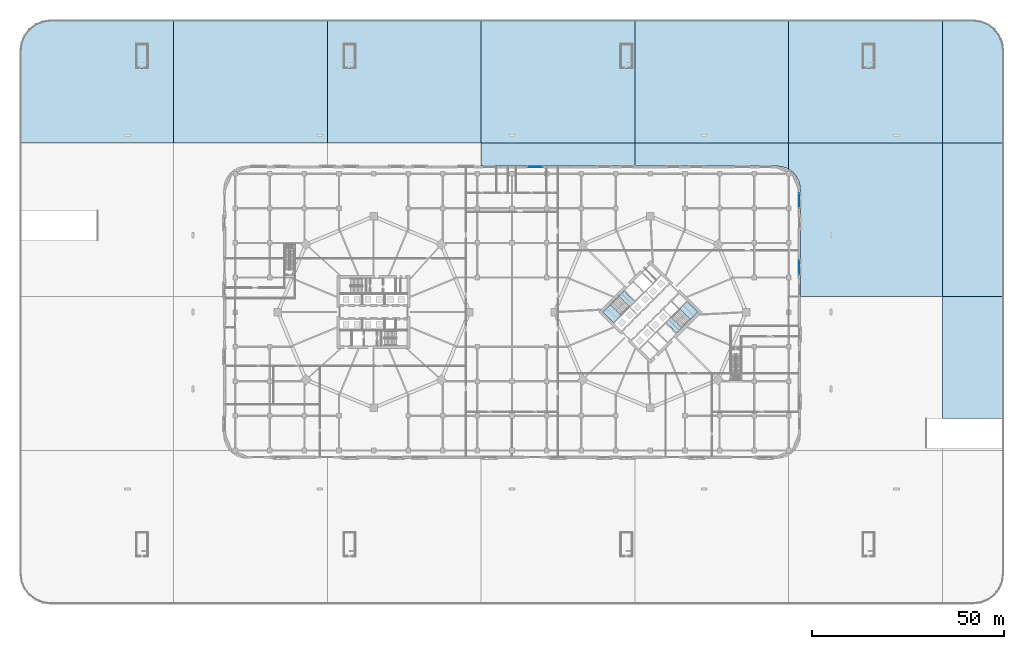
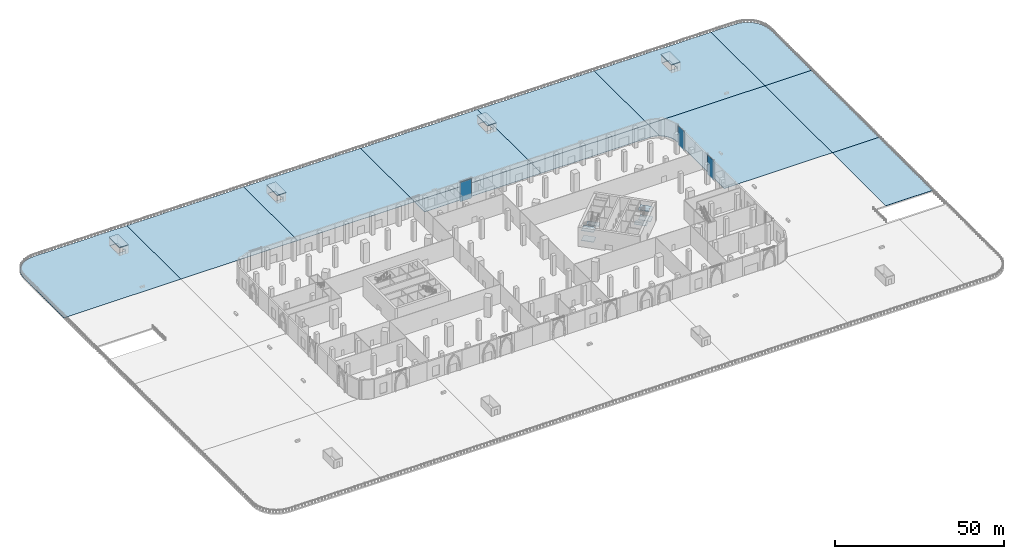
# One storey, part 21 of 48: 22 slabs, 3 plates, 5 elements without a shape of their own.
"""IFC4 building model written with IfcOpenShell, lengths in metres."""

from ifc_helpers import new_model, si_unit, direction, frame, origin, origin_2d, place, context, subcontext, project, spatial, polyline, rectangle, outline, extrude, material, layer, layer_set, type_object, element, aggregate, save


model = new_model("IFC4")

# Units and contexts
model_context = context("Model", 3, precision=1e-05, world=origin(), true_north=direction((0.0, 1.0)))
body_context = subcontext(model_context, "Body", "Model", "MODEL_VIEW")
ifc_project = project(units=[si_unit("LENGTHUNIT", "METRE"), si_unit("AREAUNIT", "SQUARE_METRE"), si_unit("VOLUMEUNIT", "CUBIC_METRE"), si_unit("PLANEANGLEUNIT", "RADIAN"), si_unit("MASSUNIT", "GRAM", prefix="KILO")], contexts=[model_context])

# Site, building, storey
site_placement = place(None, origin())
site = spatial("IfcSite", under=ifc_project, at=site_placement, CompositionType="ELEMENT")
building_placement = place(site_placement, origin())
building = spatial("IfcBuilding", under=site, at=building_placement, Name="Ogive Gate Towers", CompositionType="ELEMENT")
storey_placement = place(building_placement, origin())
storey = spatial("IfcBuildingStorey", under=building, at=storey_placement, Name="L00", CompositionType="ELEMENT", Elevation=0.0)

# Slabs
ifc_material_1 = material(Name="Grey granite paving", Category="masonry")
ifc_layer_1 = layer(ifc_material_1, 0.14990234375)
ifc_layer_set_1 = layer_set([ifc_layer_1], Name="Garden paving")
slab_type_1 = type_object("IfcSlabType", Name="Garden paving", PredefinedType="USERDEFINED", material=ifc_layer_set_1)
slab_1_placement = place(storey_placement, origin())
element("IfcSlab", 1, at=slab_1_placement, inside=storey, type_object=slab_type_1, Name="Garden paving", ObjectType="PAVING", PredefinedType="USERDEFINED", context=body_context, shape_type="SweptSolid", body=[
    extrude(outline(polyline([(-128.0, 68.0), (-127.84619140625, 69.560791015625), (-127.39111328125, 71.0615234375), (-126.65185546875, 72.444580078125), (-125.656982421875, 73.656982421875), (-124.444580078125, 74.65185546875), (-123.0615234375, 75.39111328125), (-121.560791015625, 75.84619140625), (-120.0, 76.0), (-88.0, 76.0), (-88.0, 44.0), (-128.0, 44.0), (-128.0, 68.0)]), holes=[polyline([(-94.949951171875, 69.4599609375), (-97.5, 69.4599609375), (-97.5, 64.89990234375), (-94.949951171875, 64.89990234375), (-94.949951171875, 69.4599609375)])]), origin(), (0.0, 0.0, 1.0), 0.1201171875),
])
slab_2_placement = place(storey_placement, origin())
element("IfcSlab", 2, at=slab_2_placement, inside=storey, type_object=slab_type_1, Name="Garden paving", ObjectType="PAVING", PredefinedType="USERDEFINED", context=body_context, shape_type="SweptSolid", body=[
    extrude(outline(polyline([(-48.0, 76.0), (-48.0, 44.0), (-88.0, 44.0), (-88.0, 76.0), (-48.0, 76.0)])), origin(), (0.0, 0.0, 1.0), 0.1201171875),
])
slab_3_placement = place(storey_placement, origin())
element("IfcSlab", 3, at=slab_3_placement, inside=storey, type_object=slab_type_1, Name="Garden paving", ObjectType="PAVING", PredefinedType="USERDEFINED", context=body_context, shape_type="SweptSolid", body=[
    extrude(outline(polyline([(-8.0, 76.0), (-8.0, 44.0), (-48.0, 44.0), (-48.0, 76.0), (-8.0, 76.0)]), holes=[polyline([(-40.949951171875, 64.89990234375), (-40.949951171875, 69.4599609375), (-43.5, 69.4599609375), (-43.5, 64.89990234375), (-40.949951171875, 64.89990234375)])]), origin(), (0.0, 0.0, 1.0), 0.1201171875),
])
slab_4_placement = place(storey_placement, origin())
element("IfcSlab", 4, at=slab_4_placement, inside=storey, type_object=slab_type_1, Name="Garden paving", ObjectType="PAVING", PredefinedType="USERDEFINED", context=body_context, shape_type="SweptSolid", body=[
    extrude(outline(polyline([(-8.0, 38.0), (-8.0, 44.0), (32.0, 44.0), (32.0, 38.0), (-8.0, 38.0)])), origin(), (0.0, 0.0, 1.0), 0.1201171875),
])
slab_5_placement = place(storey_placement, origin())
element("IfcSlab", 5, at=slab_5_placement, inside=storey, type_object=slab_type_1, Name="Garden paving", ObjectType="PAVING", PredefinedType="USERDEFINED", context=body_context, shape_type="SweptSolid", body=[
    extrude(outline(polyline([(32.0, 76.0), (32.0, 44.0), (-8.0, 44.0), (-8.0, 76.0), (32.0, 76.0)]), holes=[polyline([(28.5, 64.89990234375), (31.050048828125, 64.89990234375), (31.050048828125, 69.4599609375), (28.5, 69.4599609375), (28.5, 64.89990234375)])]), origin(), (0.0, 0.0, 1.0), 0.1201171875),
])
slab_6_placement = place(storey_placement, origin())
element("IfcSlab", 6, at=slab_6_placement, inside=storey, type_object=slab_type_1, Name="Garden paving", ObjectType="PAVING", PredefinedType="USERDEFINED", context=body_context, shape_type="SweptSolid", body=[
    extrude(outline(polyline([(71.296142578125, 37.543212890625), (70.17041015625, 37.884765625), (69.0, 38.0), (32.0, 38.0), (32.0, 44.0), (72.0, 44.0), (72.0, 37.1669921875), (71.296142578125, 37.543212890625)])), origin(), (0.0, 0.0, 1.0), 0.1201171875),
])
slab_7_placement = place(storey_placement, origin())
element("IfcSlab", 7, at=slab_7_placement, inside=storey, type_object=slab_type_1, Name="Garden paving", ObjectType="PAVING", PredefinedType="USERDEFINED", context=body_context, shape_type="SweptSolid", body=[
    extrude(outline(polyline([(72.0, 76.0), (72.0, 44.0), (32.0, 44.0), (32.0, 76.0), (72.0, 76.0)])), origin(), (0.0, 0.0, 1.0), 0.1201171875),
])
slab_8_placement = place(storey_placement, origin())
element("IfcSlab", 8, at=slab_8_placement, inside=storey, type_object=slab_type_1, Name="Garden paving", ObjectType="PAVING", PredefinedType="USERDEFINED", context=body_context, shape_type="SweptSolid", body=[
    extrude(outline(polyline([(73.98876953125, 35.33349609375), (73.24267578125, 36.24267578125), (72.33349609375, 36.98876953125), (72.0, 37.1669921875), (72.0, 44.0), (112.0, 44.0), (112.0, 4.0), (75.0, 4.0), (75.0, 32.0), (74.884765625, 33.17041015625), (74.543212890625, 34.296142578125), (73.98876953125, 35.33349609375)])), origin(), (0.0, 0.0, 1.0), 0.1201171875),
])
slab_9_placement = place(storey_placement, origin())
element("IfcSlab", 9, at=slab_9_placement, inside=storey, type_object=slab_type_1, Name="Garden paving", ObjectType="PAVING", PredefinedType="USERDEFINED", context=body_context, shape_type="SweptSolid", body=[
    extrude(outline(polyline([(112.0, 76.0), (112.0, 44.0), (72.0, 44.0), (72.0, 76.0), (112.0, 76.0)]), holes=[polyline([(91.5, 69.4599609375), (91.5, 64.89990234375), (94.050048828125, 64.89990234375), (94.050048828125, 69.4599609375), (91.5, 69.4599609375)])]), origin(), (0.0, 0.0, 1.0), 0.1201171875),
])
slab_10_placement = place(storey_placement, origin())
element("IfcSlab", 10, at=slab_10_placement, inside=storey, type_object=slab_type_1, Name="Garden paving", ObjectType="PAVING", PredefinedType="USERDEFINED", context=body_context, shape_type="SweptSolid", body=[
    extrude(outline(polyline([(128.0, -27.699951171875), (112.0, -27.699951171875), (112.0, 4.0), (128.0, 4.0), (128.0, -27.699951171875)])), origin(), (0.0, 0.0, 1.0), 0.1201171875),
])
slab_11_placement = place(storey_placement, origin())
element("IfcSlab", 11, at=slab_11_placement, inside=storey, type_object=slab_type_1, Name="Garden paving", ObjectType="PAVING", PredefinedType="USERDEFINED", context=body_context, shape_type="SweptSolid", body=[
    extrude(outline(polyline([(128.0, 4.0), (112.0, 4.0), (112.0, 44.0), (128.0, 44.0), (128.0, 4.0)])), origin(), (0.0, 0.0, 1.0), 0.1201171875),
])
slab_12_placement = place(storey_placement, origin())
element("IfcSlab", 12, at=slab_12_placement, inside=storey, type_object=slab_type_1, Name="Garden paving", ObjectType="PAVING", PredefinedType="USERDEFINED", context=body_context, shape_type="SweptSolid", body=[
    extrude(outline(polyline([(120.0, 76.0), (121.560791015625, 75.84619140625), (123.0615234375, 75.39111328125), (124.444580078125, 74.65185546875), (125.656982421875, 73.656982421875), (126.65185546875, 72.444580078125), (127.39111328125, 71.0615234375), (127.84619140625, 69.560791015625), (128.0, 68.0), (128.0, 44.0), (112.0, 44.0), (112.0, 76.0), (120.0, 76.0)])), origin(), (0.0, 0.0, 1.0), 0.1201171875),
])

# Curtain wall, plate
ifc_material_2 = material(Name="Pale metal aluminium", Category="aluminium")
curtain_wall_type = type_object("IfcCurtainWallType", Name="Podium glazing", PredefinedType="NOTDEFINED", material=ifc_material_2)
curtain_wall_1_placement = place(storey_placement, origin())
curtain_wall_1 = element("IfcCurtainWall", 13, at=curtain_wall_1_placement, inside=storey, type_object=curtain_wall_type, Name="CW6 PD ECW02", PredefinedType="NOTDEFINED")
ifc_material_3 = material(Name="Clear glass", Category="glass")
ifc_layer_2 = layer(ifc_material_3, 0.028076171875)
ifc_layer_set_2 = layer_set([ifc_layer_2], Name="Podium glazing glass panel")
plate_type = type_object("IfcPlateType", Name="Podium glazing glass panel", PredefinedType="CURTAIN_PANEL", material=ifc_layer_set_2)
plate_1_placement = place(storey_placement, frame((74.75, 11.636474609375, -0.300048828125), z_axis=(0.0, 0.0, 1.0), x_axis=(0.0, 1.0, 0.0)))
plate_1 = element("IfcPlate", 14, at=plate_1_placement, type_object=plate_type, Name="CW6 glass panel", PredefinedType="CURTAIN_PANEL", context=body_context, shape_type="SweptSolid", body=[
    extrude(rectangle(XDim=3.744140625, YDim=0.028076171875, at=origin_2d()), origin(), (0.0, 0.0, 1.0), 7.06396484375),
])
aggregate(curtain_wall_1, [plate_1])

curtain_wall_2_placement = place(storey_placement, origin())
curtain_wall_2 = element("IfcCurtainWall", 15, at=curtain_wall_2_placement, inside=storey, type_object=curtain_wall_type, Name="CW6 PD ECW03", PredefinedType="NOTDEFINED")
plate_2_placement = place(storey_placement, frame((74.75, 29.06591796875, -0.300048828125), z_axis=(0.0, 0.0, 1.0), x_axis=(0.0, 1.0, 0.0)))
plate_2 = element("IfcPlate", 16, at=plate_2_placement, type_object=plate_type, Name="CW6 glass panel", PredefinedType="CURTAIN_PANEL", context=body_context, shape_type="SweptSolid", body=[
    extrude(rectangle(XDim=3.694580078125, YDim=0.028076171875, at=origin_2d()), origin(), (0.0, 0.0, 1.0), 7.06396484375),
])
aggregate(curtain_wall_2, [plate_2])

curtain_wall_3_placement = place(storey_placement, origin())
curtain_wall_3 = element("IfcCurtainWall", 17, at=curtain_wall_3_placement, inside=storey, type_object=curtain_wall_type, Name="CW6 PD ECW04", PredefinedType="NOTDEFINED")
plate_3_placement = place(storey_placement, frame((6.0, 37.75, -0.300048828125), z_axis=(0.0, 0.0, 1.0), x_axis=(-1.0, 0.0, 0.0)))
plate_3 = element("IfcPlate", 18, at=plate_3_placement, type_object=plate_type, Name="CW6 glass panel", PredefinedType="CURTAIN_PANEL", context=body_context, shape_type="SweptSolid", body=[
    extrude(rectangle(XDim=3.926025390625, YDim=0.028076171875, at=origin_2d()), origin(), (0.0, 0.0, 1.0), 7.06396484375),
])
aggregate(curtain_wall_3, [plate_3])

# Slabs
ifc_material_4 = material(Name="Concrete C32/40", Category="concrete")
ifc_layer_3 = layer(ifc_material_4, 0.25)
ifc_layer_set_3 = layer_set([ifc_layer_3], Name="Stair house roof 250")
slab_type_2 = type_object("IfcSlabType", Name="Stair house roof 250", PredefinedType="ROOF", material=ifc_layer_set_3)
slab_13_placement = place(storey_placement, frame((0.0, 0.0, 3.0)))
element("IfcSlab", 19, at=slab_13_placement, inside=storey, type_object=slab_type_2, Name="CS1 stair house roof", PredefinedType="ROOF", context=body_context, shape_type="SweptSolid", body=[
    extrude(outline(polyline([(-94.64990234375, 63.39990234375), (-97.800048828125, 63.39990234375), (-97.800048828125, 69.760009765625), (-94.64990234375, 69.760009765625), (-94.64990234375, 63.39990234375)])), origin(), (0.0, 0.0, 1.0), 0.25),
])
slab_14_placement = place(storey_placement, frame((0.0, 0.0, 3.0)))
element("IfcSlab", 20, at=slab_14_placement, inside=storey, type_object=slab_type_2, Name="CS2 stair house roof", PredefinedType="ROOF", context=body_context, shape_type="SweptSolid", body=[
    extrude(outline(polyline([(-40.64990234375, 63.39990234375), (-43.800048828125, 63.39990234375), (-43.800048828125, 69.760009765625), (-40.64990234375, 69.760009765625), (-40.64990234375, 63.39990234375)])), origin(), (0.0, 0.0, 1.0), 0.25),
])
slab_15_placement = place(storey_placement, frame((0.0, 0.0, 3.0)))
element("IfcSlab", 21, at=slab_15_placement, inside=storey, type_object=slab_type_2, Name="CS3 stair house roof", PredefinedType="ROOF", context=body_context, shape_type="SweptSolid", body=[
    extrude(outline(polyline([(31.35009765625, 63.39990234375), (28.199951171875, 63.39990234375), (28.199951171875, 69.760009765625), (31.35009765625, 69.760009765625), (31.35009765625, 63.39990234375)])), origin(), (0.0, 0.0, 1.0), 0.25),
])
slab_16_placement = place(storey_placement, frame((0.0, 0.0, 3.0)))
element("IfcSlab", 22, at=slab_16_placement, inside=storey, type_object=slab_type_2, Name="CS4 stair house roof", PredefinedType="ROOF", context=body_context, shape_type="SweptSolid", body=[
    extrude(outline(polyline([(94.35009765625, 63.39990234375), (91.199951171875, 63.39990234375), (91.199951171875, 69.760009765625), (94.35009765625, 69.760009765625), (94.35009765625, 63.39990234375)])), origin(), (0.0, 0.0, 1.0), 0.25),
])

# Stair, slabs
ifc_material_5 = material(Name="Concrete C40/50", Category="concrete")
stair_type = type_object("IfcStairType", Name="Escape stair 1840 wide", PredefinedType="HALF_TURN_STAIR", material=ifc_material_5)
stair_1_placement = place(storey_placement, origin())
stair_1 = element("IfcStair", 23, at=stair_1_placement, inside=storey, type_object=stair_type, Name="L00 Escape stair 1", PredefinedType="HALF_TURN_STAIR")
ifc_layer_4 = layer(ifc_material_5, 0.199951171875)
ifc_layer_set_4 = layer_set([ifc_layer_4], Name="Stair landing 200 mm")
slab_type_3 = type_object("IfcSlabType", Name="Stair landing 200 mm", PredefinedType="LANDING", material=ifc_layer_set_4)
slab_17_placement = place(storey_placement, frame((0.0, 0.0, 1.60009765625)))
slab_17 = element("IfcSlab", 24, at=slab_17_placement, type_object=slab_type_3, Name="ST1 landing 1", PredefinedType="LANDING", context=body_context, shape_type="SweptSolid", body=[
    extrude(outline(polyline([(25.626708984375, 1.930419921875), (23.6962890625, 0.0), (26.401123046875, -2.70458984375), (28.33154296875, -0.774169921875), (25.626708984375, 1.930419921875)])), origin(), (0.0, 0.0, 1.0), 0.199951171875),
])
slab_18_placement = place(storey_placement, frame((0.0, 0.0, 3.39990234375)))
slab_18 = element("IfcSlab", 25, at=slab_18_placement, type_object=slab_type_3, Name="ST1 landing 2", PredefinedType="LANDING", context=body_context, shape_type="SweptSolid", body=[
    extrude(outline(polyline([(29.123291015625, 5.427001953125), (27.80810546875, 4.11181640625), (30.512939453125, 1.4072265625), (31.828125, 2.722412109375), (29.123291015625, 5.427001953125)])), origin(), (0.0, 0.0, 1.0), 0.2001953125),
])
slab_19_placement = place(storey_placement, frame((0.0, 0.0, 5.199951171875)))
slab_19 = element("IfcSlab", 26, at=slab_19_placement, type_object=slab_type_3, Name="ST1 landing 3", PredefinedType="LANDING", context=body_context, shape_type="SweptSolid", body=[
    extrude(outline(polyline([(25.626708984375, 1.930419921875), (23.6962890625, 0.0), (26.401123046875, -2.70458984375), (28.33154296875, -0.774169921875), (25.626708984375, 1.930419921875)])), origin(), (0.0, 0.0, 1.0), 0.199951171875),
])
aggregate(stair_1, [slab_17, slab_18, slab_19])

stair_2_placement = place(storey_placement, origin())
stair_2 = element("IfcStair", 27, at=stair_2_placement, inside=storey, type_object=stair_type, Name="L00 Escape stair 2", PredefinedType="HALF_TURN_STAIR")
slab_20_placement = place(storey_placement, frame((0.0, 0.0, 1.60009765625)))
slab_20 = element("IfcSlab", 28, at=slab_20_placement, type_object=slab_type_3, Name="ST2 landing 1", PredefinedType="LANDING", context=body_context, shape_type="SweptSolid", body=[
    extrude(outline(polyline([(46.373291015625, -1.930419921875), (48.3037109375, 0.0), (45.598876953125, 2.70458984375), (43.66845703125, 0.774169921875), (46.373291015625, -1.930419921875)])), origin(), (0.0, 0.0, 1.0), 0.199951171875),
])
slab_21_placement = place(storey_placement, frame((0.0, 0.0, 3.39990234375)))
slab_21 = element("IfcSlab", 29, at=slab_21_placement, type_object=slab_type_3, Name="ST2 landing 2", PredefinedType="LANDING", context=body_context, shape_type="SweptSolid", body=[
    extrude(outline(polyline([(42.876708984375, -5.427001953125), (44.19189453125, -4.11181640625), (41.487060546875, -1.4072265625), (40.171875, -2.722412109375), (42.876708984375, -5.427001953125)])), origin(), (0.0, 0.0, 1.0), 0.2001953125),
])
slab_22_placement = place(storey_placement, frame((0.0, 0.0, 5.199951171875)))
slab_22 = element("IfcSlab", 30, at=slab_22_placement, type_object=slab_type_3, Name="ST2 landing 3", PredefinedType="LANDING", context=body_context, shape_type="SweptSolid", body=[
    extrude(outline(polyline([(46.373291015625, -1.930419921875), (48.3037109375, 0.0), (45.598876953125, 2.70458984375), (43.66845703125, 0.774169921875), (46.373291015625, -1.930419921875)])), origin(), (0.0, 0.0, 1.0), 0.199951171875),
])
aggregate(stair_2, [slab_20, slab_21, slab_22])

save(model, "model.ifc")
